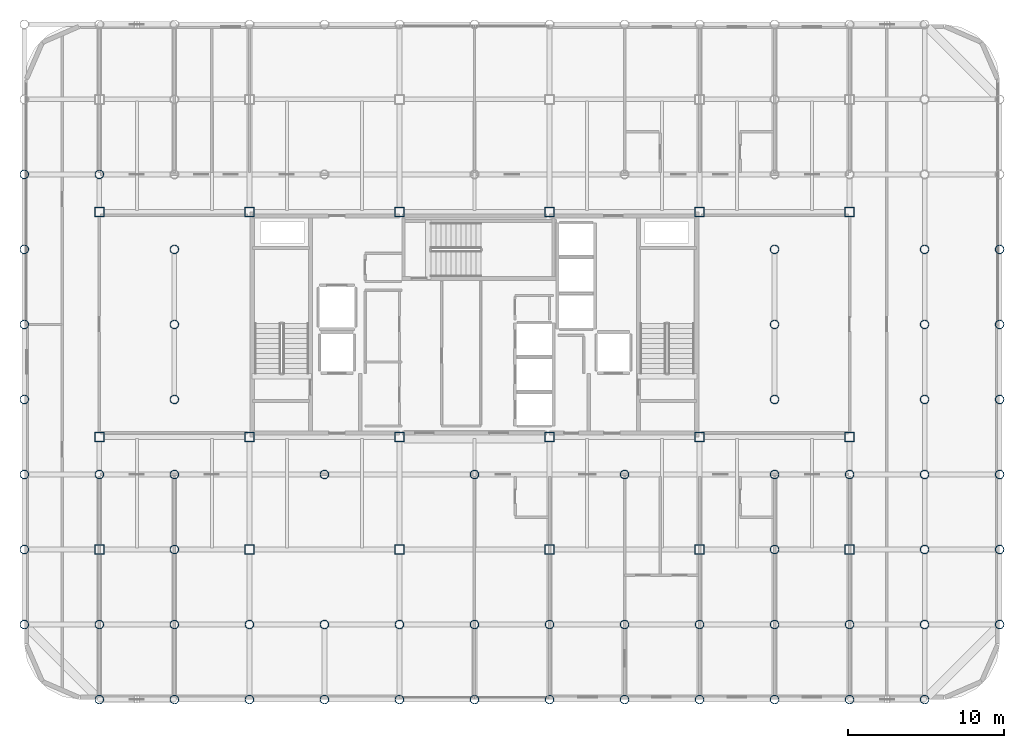
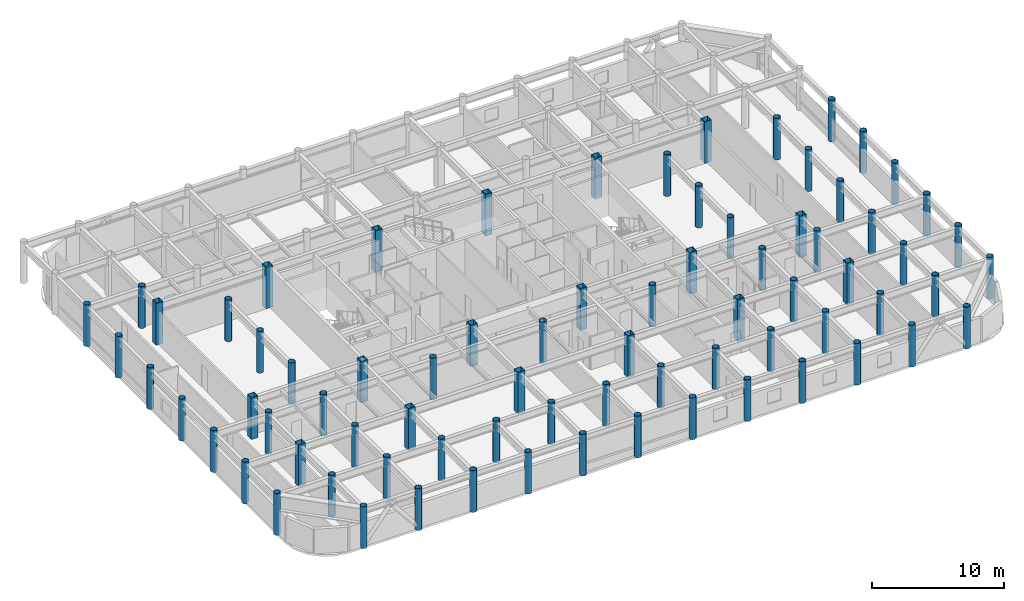
# One storey, part 1 of 22: 76 columns.
"""IFC4 building model written with IfcOpenShell, lengths in metres."""

from ifc_helpers import new_model, si_unit, direction, frame, origin, origin_2d, place, context, subcontext, project, spatial, hollow_rectangle, hollow_circle, extrude, material, material_profile, profile_set, type_object, element, save


model = new_model("IFC4")

# Units and contexts
model_context = context("Model", 3, precision=1e-05, world=origin(), true_north=direction((0.0, 1.0)))
body_context = subcontext(model_context, "Body", "Model", "MODEL_VIEW")
ifc_project = project(units=[si_unit("LENGTHUNIT", "METRE"), si_unit("AREAUNIT", "SQUARE_METRE"), si_unit("VOLUMEUNIT", "CUBIC_METRE"), si_unit("PLANEANGLEUNIT", "RADIAN"), si_unit("MASSUNIT", "GRAM", prefix="KILO")], contexts=[model_context])

# Site, building, storey
site_placement = place(None, origin())
site = spatial("IfcSite", under=ifc_project, at=site_placement, CompositionType="ELEMENT")
building_placement = place(site_placement, origin())
building = spatial("IfcBuilding", under=site, at=building_placement, Name="Kallvorn Hotel Tower", CompositionType="ELEMENT")
storey_placement = place(building_placement, frame((0.0, 0.0, 206.89990234375)))
storey = spatial("IfcBuildingStorey", under=building, at=storey_placement, Name="L51", CompositionType="ELEMENT", Elevation=206.89990234375)

# Columns
ifc_material_1 = material(Name="Structural steel S355J2H", Category="steel")
ifc_material_profile_1 = material_profile(ifc_material_1, hollow_circle(Radius=0.279541015625, WallThickness=0.02490234375, at=origin_2d()), Name="CHS 559x25")
ifc_profile_set_1 = profile_set([ifc_material_profile_1], Name="Structural steel S355J2H")
column_type_1 = type_object("IfcColumnType", Name="COL_CHS_559", PredefinedType="COLUMN", material=ifc_profile_set_1)
for number, where, z_axis, x_axis, name in (
    (1, (-28.800048828125, -19.199951171875, 0.0), (0.0, 0.0, 1.0), (1.0, 0.0, 0.0), "L51 Exoskeleton Column EC01"),
    (2, (-28.800048828125, -14.39990234375, 0.0), (0.0, 0.0, 1.0), (1.0, 0.0, 0.0), "L51 Exoskeleton Column EC02"),
    (3, (-28.800048828125, -9.60009765625, 0.0), (0.0, 0.0, 1.0), (1.0, 0.0, 0.0), "L51 Exoskeleton Column EC03"),
    (4, (-28.800048828125, -4.800048828125, 0.0), (0.0, 0.0, 1.0), (1.0, 0.0, 0.0), "L51 Exoskeleton Column EC04"),
    (5, (-28.800048828125, 0.0, 0.0), (0.0, 0.0, 1.0), (1.0, 0.0, 0.0), "L51 Exoskeleton Column EC05"),
    (6, (-28.800048828125, 4.800048828125, 0.0), (0.0, 0.0, 1.0), (1.0, 0.0, 0.0), "L51 Exoskeleton Column EC06"),
    (7, (-28.800048828125, 9.60009765625, 0.0), (0.0, 0.0, 1.0), (1.0, 0.0, 0.0), "L51 Exoskeleton Column EC07"),
    (8, (-24.0, -24.0, 0.0), (0.0, 0.0, 1.0), (1.0, 0.0, 0.0), "L51 Exoskeleton Column EC10"),
    (9, (-24.0, -19.199951171875, 0.0), (0.0, 0.0, 1.0), (1.0, 0.0, 0.0), "L51 Exoskeleton Column EC11"),
    (10, (-24.0, -9.60009765625, 0.0), (0.0, 0.0, 1.0), (1.0, 0.0, 0.0), "L51 Exoskeleton Column EC12"),
    (11, (-24.0, 9.60009765625, 0.0), (0.0, 0.0, 1.0), (1.0, 0.0, 0.0), "L51 Exoskeleton Column EC13"),
    (12, (-19.199951171875, -24.0, 0.0), (0.0, 0.0, 1.0), (1.0, 0.0, 0.0), "L51 Exoskeleton Column EC15"),
    (13, (-19.199951171875, -19.199951171875, 0.0), (0.0, 0.0, 1.0), (1.0, 0.0, 0.0), "L51 Exoskeleton Column EC16"),
    (14, (-19.199951171875, -14.39990234375, 0.0), (0.0, 0.0, 1.0), (1.0, 0.0, 0.0), "L51 Exoskeleton Column EC17"),
    (15, (-19.199951171875, -9.60009765625, 0.0), (0.0, 0.0, 1.0), (1.0, 0.0, 0.0), "L51 Exoskeleton Column EC18"),
    (16, (-19.199951171875, -4.800048828125, 0.0), (0.0, 0.0, 1.0), (1.0, 0.0, 0.0), "L51 Exoskeleton Column EC19"),
    (17, (-19.199951171875, 0.0, 0.0), (0.0, 0.0, 1.0), (1.0, 0.0, 0.0), "L51 Exoskeleton Column EC20"),
    (18, (-19.199951171875, 4.800048828125, 0.0), (0.0, 0.0, 1.0), (1.0, 0.0, 0.0), "L51 Exoskeleton Column EC21"),
    (19, (-14.39990234375, -24.0, 0.0), (0.0, 0.0, 1.0), (1.0, 0.0, 0.0), "L51 Exoskeleton Column EC25"),
    (20, (-14.39990234375, -19.199951171875, 0.0), (0.0, 0.0, 1.0), (1.0, 0.0, 0.0), "L51 Exoskeleton Column EC26"),
    (21, (-9.60009765625, -24.0, 0.0), (0.0, 0.0, 1.0), (1.0, 0.0, 0.0), "L51 Exoskeleton Column EC28"),
    (22, (-9.60009765625, -19.199951171875, 0.0), (0.0, 0.0, 1.0), (1.0, 0.0, 0.0), "L51 Exoskeleton Column EC29"),
    (23, (-9.60009765625, -9.60009765625, 0.0), (0.0, 0.0, 1.0), (1.0, 0.0, 0.0), "L51 Exoskeleton Column EC30"),
    (24, (-4.800048828125, -24.0, 0.0), (0.0, 0.0, 1.0), (1.0, 0.0, 0.0), "L51 Exoskeleton Column EC33"),
    (25, (-4.800048828125, -19.199951171875, 0.0), (0.0, 0.0, 1.0), (1.0, 0.0, 0.0), "L51 Exoskeleton Column EC34"),
    (26, (0.0, -24.0, 0.0), (0.0, 0.0, 1.0), (1.0, 0.0, 0.0), "L51 Exoskeleton Column EC36"),
    (27, (0.0, -19.199951171875, 0.0), (0.0, 0.0, 1.0), (1.0, 0.0, 0.0), "L51 Exoskeleton Column EC37"),
    (28, (0.0, -9.60009765625, 0.0), (0.0, 0.0, 1.0), (1.0, 0.0, 0.0), "L51 Exoskeleton Column EC38"),
    (29, (4.800048828125, -24.0, 0.0), (0.0, 0.0, 1.0), (1.0, 0.0, 0.0), "L51 Exoskeleton Column EC41"),
    (30, (4.800048828125, -19.199951171875, 0.0), (0.0, 0.0, 1.0), (1.0, 0.0, 0.0), "L51 Exoskeleton Column EC42"),
    (31, (9.60009765625, -24.0, 0.0), (0.0, 0.0, 1.0), (1.0, 0.0, 0.0), "L51 Exoskeleton Column EC44"),
    (32, (9.60009765625, -19.199951171875, 0.0), (0.0, 0.0, 1.0), (1.0, 0.0, 0.0), "L51 Exoskeleton Column EC45"),
    (33, (9.60009765625, -9.60009765625, 0.0), (0.0, 0.0, 1.0), (1.0, 0.0, 0.0), "L51 Exoskeleton Column EC46"),
    (34, (14.39990234375, -24.0, 0.0), (0.0, 0.0, 1.0), (1.0, 0.0, 0.0), "L51 Exoskeleton Column EC49"),
    (35, (14.39990234375, -19.199951171875, 0.0), (0.0, 0.0, 1.0), (1.0, 0.0, 0.0), "L51 Exoskeleton Column EC50"),
    (36, (19.199951171875, -24.0, 0.0), (0.0, 0.0, 1.0), (1.0, 0.0, 0.0), "L51 Exoskeleton Column EC52"),
    (37, (19.199951171875, -19.199951171875, 0.0), (0.0, 0.0, 1.0), (1.0, 0.0, 0.0), "L51 Exoskeleton Column EC53"),
    (38, (19.199951171875, -14.39990234375, 0.0), (0.0, 0.0, 1.0), (1.0, 0.0, 0.0), "L51 Exoskeleton Column EC54"),
    (39, (19.199951171875, -9.60009765625, 0.0), (0.0, 0.0, 1.0), (1.0, 0.0, 0.0), "L51 Exoskeleton Column EC55"),
    (40, (19.199951171875, -4.800048828125, 0.0), (0.0, 0.0, 1.0), (1.0, 0.0, 0.0), "L51 Exoskeleton Column EC56"),
    (41, (19.199951171875, 0.0, 0.0), (0.0, 0.0, 1.0), (1.0, 0.0, 0.0), "L51 Exoskeleton Column EC57"),
    (42, (19.199951171875, 4.800048828125, 0.0), (0.0, 0.0, 1.0), (1.0, 0.0, 0.0), "L51 Exoskeleton Column EC58"),
    (43, (24.0, -24.0, 0.0), (0.0, 0.0, 1.0), (1.0, 0.0, 0.0), "L51 Exoskeleton Column EC62"),
    (44, (24.0, -19.199951171875, 0.0), (0.0, 0.0, 1.0), (1.0, 0.0, 0.0), "L51 Exoskeleton Column EC63"),
    (45, (24.0, -9.60009765625, 0.0), (0.0, 0.0, 1.0), (1.0, 0.0, 0.0), "L51 Exoskeleton Column EC64"),
    (46, (28.800048828125, -24.0, 0.0), (0.0, 0.0, 1.0), (1.0, 0.0, 0.0), "L51 Exoskeleton Column EC67"),
    (47, (28.800048828125, -19.199951171875, 0.0), (0.0, 0.0, 1.0), (1.0, 0.0, 0.0), "L51 Exoskeleton Column EC68"),
    (48, (28.800048828125, -14.39990234375, 0.0), (0.0, 0.0, 1.0), (1.0, 0.0, 0.0), "L51 Exoskeleton Column EC69"),
    (49, (28.800048828125, -9.60009765625, 0.0), (0.0, 0.0, 1.0), (1.0, 0.0, 0.0), "L51 Exoskeleton Column EC70"),
    (50, (28.800048828125, -4.800048828125, 0.0), (0.0, 0.0, 1.0), (1.0, 0.0, 0.0), "L51 Exoskeleton Column EC71"),
    (51, (28.800048828125, 0.0, 0.0), (0.0, 0.0, 1.0), (1.0, 0.0, 0.0), "L51 Exoskeleton Column EC72"),
    (52, (28.800048828125, 4.800048828125, 0.0), (0.0, 0.0, 1.0), (1.0, 0.0, 0.0), "L51 Exoskeleton Column EC73"),
    (53, (33.60009765625, -19.199951171875, 0.0), (0.0, 0.0, 1.0), (1.0, 0.0, 0.0), "L51 Exoskeleton Column EC77"),
    (54, (33.60009765625, -14.39990234375, 0.0), (0.0, 0.0, 1.0), (1.0, 0.0, 0.0), "L51 Exoskeleton Column EC78"),
    (55, (33.60009765625, -9.60009765625, 0.0), (0.0, 0.0, 1.0), (1.0, 0.0, 0.0), "L51 Exoskeleton Column EC79"),
    (56, (33.60009765625, -4.800048828125, 0.0), (0.0, 0.0, 1.0), (1.0, 0.0, 0.0), "L51 Exoskeleton Column EC80"),
    (57, (33.60009765625, 0.0, 0.0), (0.0, 0.0, 1.0), (1.0, 0.0, 0.0), "L51 Exoskeleton Column EC81"),
    (58, (33.60009765625, 4.800048828125, 0.0), (0.0, 0.0, 1.0), (1.0, 0.0, 0.0), "L51 Exoskeleton Column EC82"),
):
    element("IfcColumn", number, at=place(storey_placement, frame(where, z_axis=z_axis, x_axis=x_axis)), inside=storey, type_object=column_type_1, Name=name, PredefinedType="COLUMN", context=body_context, shape_type="SweptSolid", body=[
        extrude(hollow_circle(Radius=0.279541015625, WallThickness=0.02490234375, at=origin_2d()), origin(), (0.0, 0.0, 1.0), 3.85009765625),
    ])
ifc_material_2 = material(Name="Structural steel S355J2H", Category="steel")
ifc_material_profile_2 = material_profile(ifc_material_2, hollow_rectangle(XDim=0.60009765625, YDim=0.60009765625, WallThickness=0.028076171875, at=origin_2d()), Name="RHS 600x600x28")
ifc_profile_set_2 = profile_set([ifc_material_profile_2], Name="Structural steel S355J2H")
column_type_2 = type_object("IfcColumnType", Name="COL_RHS_600", PredefinedType="COLUMN", material=ifc_profile_set_2)
for number, where, z_axis, x_axis, name in (
    (59, (-24.0, -14.39990234375, 0.0), (0.0, 0.0, 1.0), (1.0, 0.0, 0.0), "L51 Inner Column IC01"),
    (60, (-24.0, -7.199951171875, 0.0), (0.0, 0.0, 1.0), (1.0, 0.0, 0.0), "L51 Inner Column IC02"),
    (61, (-24.0, 7.199951171875, 0.0), (0.0, 0.0, 1.0), (1.0, 0.0, 0.0), "L51 Inner Column IC03"),
    (62, (-14.39990234375, -14.39990234375, 0.0), (0.0, 0.0, 1.0), (1.0, 0.0, 0.0), "L51 Inner Column IC05"),
    (63, (-14.39990234375, -7.199951171875, 0.0), (0.0, 0.0, 1.0), (1.0, 0.0, 0.0), "L51 Inner Column IC06"),
    (64, (-14.39990234375, 7.199951171875, 0.0), (0.0, 0.0, 1.0), (1.0, 0.0, 0.0), "L51 Inner Column IC07"),
    (65, (-4.800048828125, -14.39990234375, 0.0), (0.0, 0.0, 1.0), (1.0, 0.0, 0.0), "L51 Inner Column IC09"),
    (66, (-4.800048828125, -7.199951171875, 0.0), (0.0, 0.0, 1.0), (1.0, 0.0, 0.0), "L51 Inner Column IC10"),
    (67, (-4.800048828125, 7.199951171875, 0.0), (0.0, 0.0, 1.0), (1.0, 0.0, 0.0), "L51 Inner Column IC11"),
    (68, (4.800048828125, -14.39990234375, 0.0), (0.0, 0.0, 1.0), (1.0, 0.0, 0.0), "L51 Inner Column IC13"),
    (69, (4.800048828125, -7.199951171875, 0.0), (0.0, 0.0, 1.0), (1.0, 0.0, 0.0), "L51 Inner Column IC14"),
    (70, (4.800048828125, 7.199951171875, 0.0), (0.0, 0.0, 1.0), (1.0, 0.0, 0.0), "L51 Inner Column IC15"),
    (71, (14.39990234375, -14.39990234375, 0.0), (0.0, 0.0, 1.0), (1.0, 0.0, 0.0), "L51 Inner Column IC17"),
    (72, (14.39990234375, -7.199951171875, 0.0), (0.0, 0.0, 1.0), (1.0, 0.0, 0.0), "L51 Inner Column IC18"),
    (73, (14.39990234375, 7.199951171875, 0.0), (0.0, 0.0, 1.0), (1.0, 0.0, 0.0), "L51 Inner Column IC19"),
    (74, (24.0, -14.39990234375, 0.0), (0.0, 0.0, 1.0), (1.0, 0.0, 0.0), "L51 Inner Column IC21"),
    (75, (24.0, -7.199951171875, 0.0), (0.0, 0.0, 1.0), (1.0, 0.0, 0.0), "L51 Inner Column IC22"),
    (76, (24.0, 7.199951171875, 0.0), (0.0, 0.0, 1.0), (1.0, 0.0, 0.0), "L51 Inner Column IC23"),
):
    element("IfcColumn", number, at=place(storey_placement, frame(where, z_axis=z_axis, x_axis=x_axis)), inside=storey, type_object=column_type_2, Name=name, PredefinedType="COLUMN", context=body_context, shape_type="SweptSolid", body=[
        extrude(hollow_rectangle(XDim=0.60009765625, YDim=0.60009765625, WallThickness=0.028076171875, at=origin_2d()), origin(), (0.0, 0.0, 1.0), 3.85009765625),
    ])

save(model, "model.ifc")
